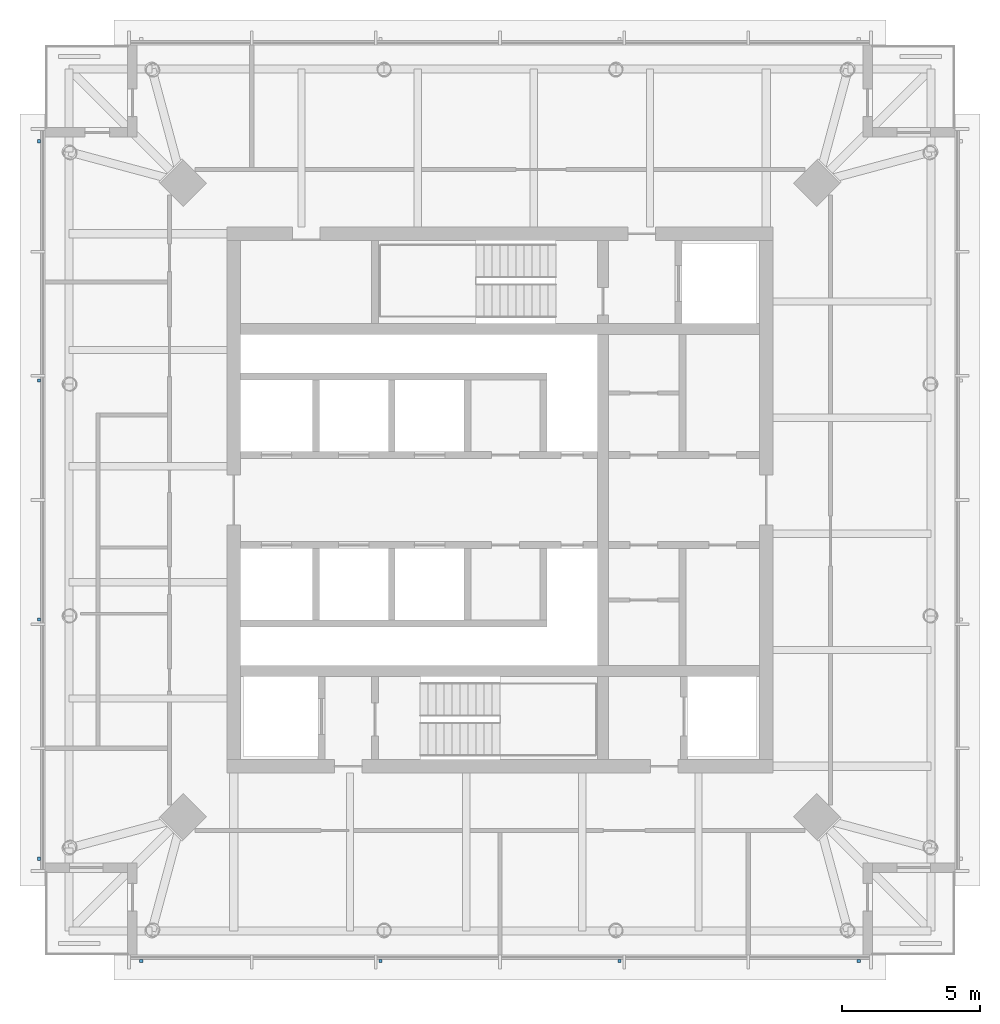
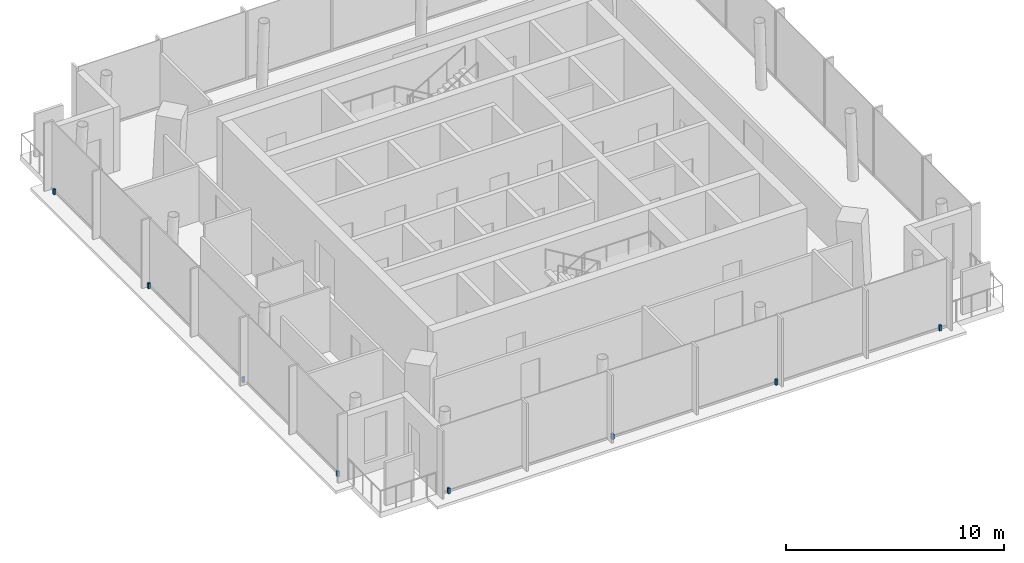
# One storey, part 6 of 8: 8 discrete accessories.
"""IFC4 building model written with IfcOpenShell, lengths in metres."""

import ifcopenshell
import ifcopenshell.guid

model = None  # the IFC model being written
_history = None  # IfcOwnerHistory: only IFC2X3 demands one
_inside = {}  # id of a spatial element -> (the spatial element, [elements in it])
_under = {}  # id of a project, library or spatial element -> (it, [spatial elements below it])
_declared = {}  # id of a project -> (the project, [libraries it declares])
_typed = {}  # id of a type object -> (the type object, [elements of that type])
_made_of = {}  # id of a material, layer set ... -> (it, [elements and type objects made of it])


def new_model(schema):
    """Start an empty IFC model of exactly this schema.

    Asked for "IFC4X3", IfcOpenShell would pick the latest addendum, in which some entities
    have other attributes; the version numbers below select the first issue.
    IFC2X3 requires an IfcOwnerHistory on every rooted entity: one is made here for all.
    """
    global model, _history
    if schema == "IFC4X3":
        model = ifcopenshell.file(schema_version=(4, 3, 0, 0))
    else:
        model = ifcopenshell.file(schema=schema)
    _inside.clear()
    _under.clear()
    _declared.clear()
    _typed.clear()
    _made_of.clear()
    _history = None
    if model.schema == "IFC2X3":
        org = make("IfcOrganization", Name="unknown")
        user = make(
            "IfcPersonAndOrganization",
            ThePerson=make("IfcPerson", FamilyName="unknown"),
            TheOrganization=org,
        )
        app = make(
            "IfcApplication",
            ApplicationDeveloper=org,
            Version="unknown",
            ApplicationFullName="unknown",
            ApplicationIdentifier="unknown",
        )
        _history = make(
            "IfcOwnerHistory",
            OwningUser=user,
            OwningApplication=app,
            ChangeAction="ADDED",
            CreationDate=0,
        )
    return model


def make(cls, **values):
    """One entity of the class cls with the attributes given. An attribute that is None is left unset."""
    return model.create_entity(
        cls, **{name: value for name, value in values.items() if value is not None}
    )


def rooted(cls, **values):
    """An entity with a GlobalId (a new one), such as an element, a storey or a relation."""
    return make(cls, GlobalId=ifcopenshell.guid.new(), OwnerHistory=_history, **values)


def si_unit(unit_type, name, prefix=None):
    """IfcSIUnit, for example si_unit("LENGTHUNIT", "METRE", prefix="MILLI")."""
    return make("IfcSIUnit", UnitType=unit_type, Prefix=prefix, Name=name)


def assignment(units):
    """IfcUnitAssignment: the units of a project."""
    return None if units is None else make("IfcUnitAssignment", Units=units)


def point(xyz):
    """IfcCartesianPoint."""
    return None if xyz is None else make("IfcCartesianPoint", Coordinates=xyz)


def direction(xyz):
    """IfcDirection."""
    return None if xyz is None else make("IfcDirection", DirectionRatios=xyz)


def frame(location, z_axis=None, x_axis=None):
    """IfcAxis2Placement3D, a coordinate frame: its origin and axes. An axis left out is left unset."""
    return make(
        "IfcAxis2Placement3D",
        Location=point(location),
        Axis=direction(z_axis),
        RefDirection=direction(x_axis),
    )


def frame_2d(location, x_axis=None):
    """IfcAxis2Placement2D, a coordinate frame in the plane: its origin and x axis."""
    return make(
        "IfcAxis2Placement2D", Location=point(location), RefDirection=direction(x_axis)
    )


def origin():
    """The frame at (0, 0, 0) with its axes left unset."""
    return frame((0.0, 0.0, 0.0))


def origin_2d():
    """The frame at (0, 0) in the plane with its x axis left unset."""
    return frame_2d((0.0, 0.0))


def place(relative_to, where):
    """IfcLocalPlacement: puts the frame where relative to a parent placement (None: the world)."""
    return make(
        "IfcLocalPlacement", PlacementRelTo=relative_to, RelativePlacement=where
    )


def context(
    kind, dimensions, precision=None, world=None, true_north=None, identifier=None
):
    """IfcGeometricRepresentationContext, for example the 3D "Model" context."""
    return make(
        "IfcGeometricRepresentationContext",
        ContextIdentifier=identifier,
        ContextType=kind,
        CoordinateSpaceDimension=dimensions,
        Precision=precision,
        WorldCoordinateSystem=world,
        TrueNorth=true_north,
    )


def subcontext(parent, identifier, kind, view, scale=None):
    """IfcGeometricRepresentationSubContext, for example "Body" below "Model"."""
    return make(
        "IfcGeometricRepresentationSubContext",
        ContextIdentifier=identifier,
        ContextType=kind,
        ParentContext=parent,
        TargetScale=scale,
        TargetView=view,
    )


def project(units=None, contexts=None):
    """IfcProject with its units and contexts."""
    return rooted(
        "IfcProject",
        Name="project",
        RepresentationContexts=contexts,
        UnitsInContext=assignment(units),
    )


def spatial(cls, under=None, at=None, **own):
    """A site, building, storey or space (cls), placed at a placement, below another one or the project."""
    s = rooted(cls, ObjectPlacement=at, **own)
    if under is not None:
        _under.setdefault(under.id(), (under, []))[1].append(s)
    return s


def profile(cls, at=None, kind="AREA", **sizes):
    """A parametric profile (cls). Its sizes go by their IFC names, for example OverallWidth=200.0."""
    return make(cls, ProfileType=kind, Position=at, **sizes)


def rectangle(**sizes):
    """IfcRectangleProfileDef."""
    return profile("IfcRectangleProfileDef", **sizes)


def extrude(swept, where, along, depth):
    """IfcExtrudedAreaSolid: the profile swept, set in the frame where, extruded along a direction by depth."""
    return make(
        "IfcExtrudedAreaSolid",
        SweptArea=swept,
        Position=where,
        ExtrudedDirection=direction(along),
        Depth=depth,
    )


def shape(context_of_items, identifier, shape_type, items):
    """IfcShapeRepresentation: the items that make up one representation, for example the "Body"."""
    return make(
        "IfcShapeRepresentation",
        ContextOfItems=context_of_items,
        RepresentationIdentifier=identifier,
        RepresentationType=shape_type,
        Items=items,
    )


def material(Name=None, Category=None):
    """IfcMaterial."""
    return make("IfcMaterial", Name=Name, Category=Category)


def made_of(thing, what):
    """Note that an element or type object is made of a material, layer set ...; save() writes the relation."""
    if what is not None:
        _made_of.setdefault(what.id(), (what, []))[1].append(thing)
    return thing


def type_object(cls, material=None, **own):
    """A type object (cls), such as IfcWallType, which elements share."""
    return made_of(rooted(cls, **own), material)


def element(
    cls,
    number,
    at=None,
    inside=None,
    cuts=None,
    type_object=None,
    material=None,
    context=None,
    identifier="Body",
    shape_type=None,
    held_by="IfcProductDefinitionShape",
    body=None,
    shapes=None,
    **own,
):
    """One element of the class cls, such as IfcWall. Its Tag is "e" and its number.

    at: its placement. inside: the storey or other place that contains it. cuts: it is an
    opening in that element (IfcRelVoidsElement). A single representation is given by context,
    identifier, shape_type and body (its items); several are given by shapes. held_by: the class
    of the entity that holds the representations. save() writes the other relations.
    """
    e = rooted(cls, Tag="e%d" % number, ObjectPlacement=at, **own)
    if body is not None:
        shapes = [shape(context, identifier, shape_type, body)]
    if shapes is not None:
        e.Representation = make(held_by, Representations=shapes)
    if inside is not None:
        _inside.setdefault(inside.id(), (inside, []))[1].append(e)
    if cuts is not None:
        rooted(
            "IfcRelVoidsElement", RelatingBuildingElement=cuts, RelatedOpeningElement=e
        )
    if type_object is not None:
        _typed.setdefault(type_object.id(), (type_object, []))[1].append(e)
    return made_of(e, material)


def aggregate(whole, parts):
    """IfcRelAggregates: a whole, such as a stair, and the parts it consists of."""
    return rooted("IfcRelAggregates", RelatingObject=whole, RelatedObjects=parts)


def save(model, path):
    """Write the relations noted so far, then the file.

    IfcRelAggregates (storeys below a building ...), IfcRelContainedInSpatialStructure (elements
    in a storey), IfcRelDefinesByType, IfcRelAssociatesMaterial and IfcRelDeclares: one each for
    every whole, place, type object, material and project.
    """
    for whole, parts in _under.values():
        aggregate(whole, parts)
    for where, things in _inside.values():
        rooted(
            "IfcRelContainedInSpatialStructure",
            RelatedElements=things,
            RelatingStructure=where,
        )
    for kind, things in _typed.values():
        rooted("IfcRelDefinesByType", RelatedObjects=things, RelatingType=kind)
    for what, things in _made_of.values():
        rooted("IfcRelAssociatesMaterial", RelatedObjects=things, RelatingMaterial=what)
    for by, libraries in _declared.values():
        rooted("IfcRelDeclares", RelatingContext=by, RelatedDefinitions=libraries)
    model.write(path)


model = new_model("IFC4")

# Units and contexts
model_context = context("Model", 3, precision=1e-05, world=origin(), true_north=direction((0.0, 1.0)))
body_context = subcontext(model_context, "Body", "Model", "MODEL_VIEW")
ifc_project = project(units=[si_unit("LENGTHUNIT", "METRE"), si_unit("AREAUNIT", "SQUARE_METRE"), si_unit("VOLUMEUNIT", "CUBIC_METRE"), si_unit("PLANEANGLEUNIT", "RADIAN"), si_unit("MASSUNIT", "GRAM", prefix="KILO")], contexts=[model_context])

# Site, building, storey
site_placement = place(None, origin())
site = spatial("IfcSite", under=ifc_project, at=site_placement, CompositionType="ELEMENT")
building_placement = place(site_placement, origin())
building = spatial("IfcBuilding", under=site, at=building_placement, Name="Ostroluk Exchange", CompositionType="ELEMENT")
storey_placement = place(building_placement, frame((0.0, 0.0, 283.199951171875)))
storey = spatial("IfcBuildingStorey", under=building, at=storey_placement, Name="L73", CompositionType="ELEMENT", Elevation=283.199951171875)

# Discrete accessories
ifc_material = material(Name="Stainless steel", Category="steel")
discrete_accessory_type = type_object("IfcDiscreteAccessoryType", Name="Fall-arrest anchor PN-EN 795 type C", PredefinedType="USERDEFINED", material=ifc_material)
for number, where, z_axis, x_axis, name in (
    (1, (32.0, 29.2900390625, 0.0), (0.0, 0.0, 1.0), (1.0, 0.0, 0.0), "Fall-arrest anchor L73 south 1"),
    (2, (40.666748046875, 29.2900390625, 0.0), (0.0, 0.0, 1.0), (1.0, 0.0, 0.0), "Fall-arrest anchor L73 south 2"),
    (3, (49.333251953125, 29.2900390625, 0.0), (0.0, 0.0, 1.0), (1.0, 0.0, 0.0), "Fall-arrest anchor L73 south 3"),
    (4, (58.0, 29.2900390625, 0.0), (0.0, 0.0, 1.0), (1.0, 0.0, 0.0), "Fall-arrest anchor L73 south 4"),
    (5, (28.2900390625, 33.0, 0.0), (0.0, 0.0, 1.0), (1.0, 0.0, 0.0), "Fall-arrest anchor L73 west 1"),
    (6, (28.2900390625, 41.666748046875, 0.0), (0.0, 0.0, 1.0), (1.0, 0.0, 0.0), "Fall-arrest anchor L73 west 2"),
    (7, (28.2900390625, 50.333251953125, 0.0), (0.0, 0.0, 1.0), (1.0, 0.0, 0.0), "Fall-arrest anchor L73 west 3"),
    (8, (28.2900390625, 59.0, 0.0), (0.0, 0.0, 1.0), (1.0, 0.0, 0.0), "Fall-arrest anchor L73 west 4"),
):
    element("IfcDiscreteAccessory", number, at=place(storey_placement, frame(where, z_axis=z_axis, x_axis=x_axis)), inside=storey, type_object=discrete_accessory_type, Name=name, ObjectType="FALL ARREST ANCHOR", PredefinedType="USERDEFINED", context=body_context, shape_type="SweptSolid", body=[
        extrude(rectangle(XDim=0.1201171875, YDim=0.1201171875, at=origin_2d()), origin(), (0.0, 0.0, 1.0), 0.300048828125),
    ])

save(model, "model.ifc")
